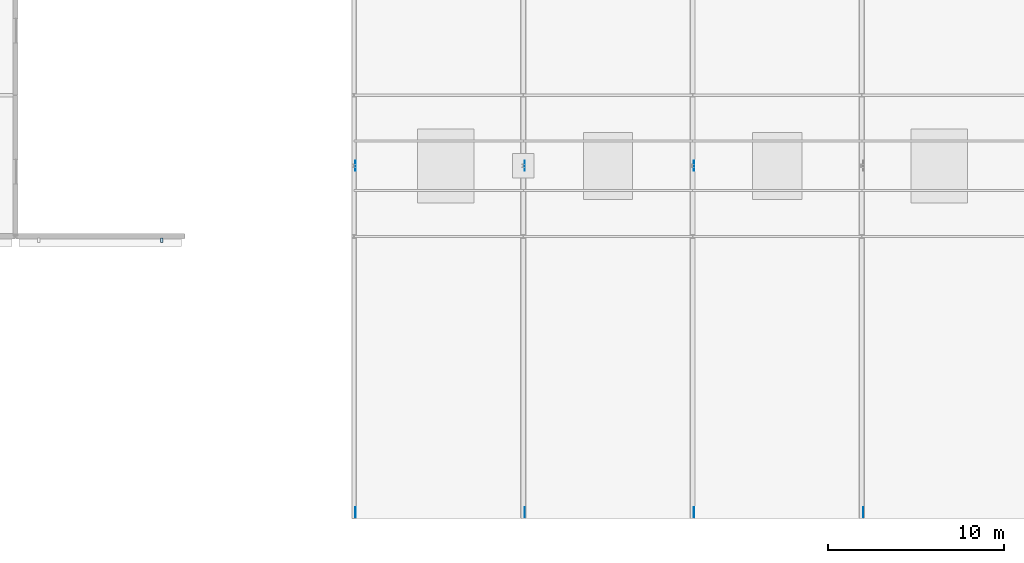
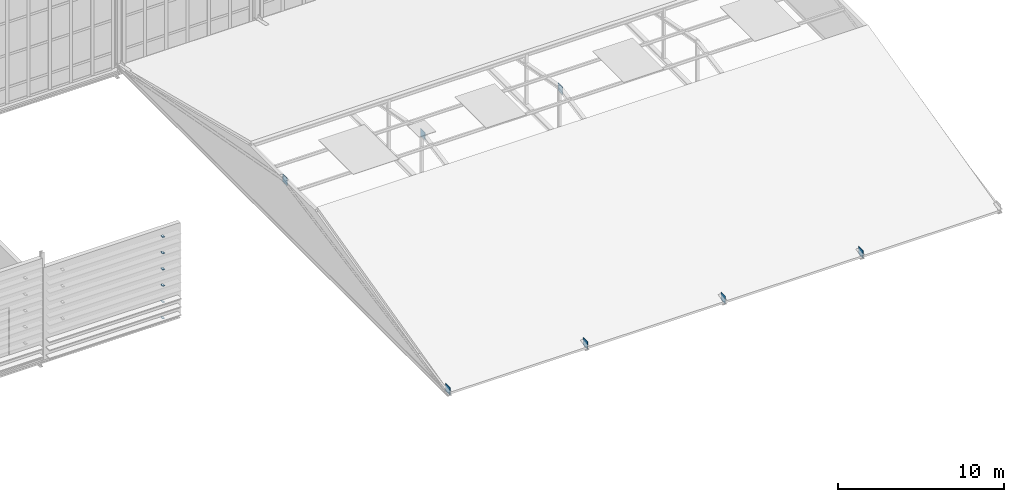
# One storey, part 60 of 73: 13 plates.
"""IFC4 building model written with IfcOpenShell, lengths in metres."""

from ifc_helpers import new_model, si_unit, direction, frame, origin, origin_2d, place, context, subcontext, project, spatial, rectangle, extrude, material, layer, layer_set, type_object, element, save


model = new_model("IFC4")

# Units and contexts
model_context = context("Model", 3, precision=1e-05, world=origin(), true_north=direction((0.0, 1.0)))
body_context = subcontext(model_context, "Body", "Model", "MODEL_VIEW")
ifc_project = project(units=[si_unit("LENGTHUNIT", "METRE"), si_unit("AREAUNIT", "SQUARE_METRE"), si_unit("VOLUMEUNIT", "CUBIC_METRE"), si_unit("PLANEANGLEUNIT", "RADIAN"), si_unit("MASSUNIT", "GRAM", prefix="KILO")], contexts=[model_context])

# Site, building, storey
site_placement = place(None, origin())
site = spatial("IfcSite", under=ifc_project, at=site_placement, CompositionType="ELEMENT")
building_placement = place(site_placement, origin())
building = spatial("IfcBuilding", under=site, at=building_placement, Name="Alderhovde Museum", CompositionType="ELEMENT")
storey_placement = place(building_placement, frame((0.0, 0.0, 17.39990234375)))
storey = spatial("IfcBuildingStorey", under=building, at=storey_placement, Name="L04", CompositionType="ELEMENT", Elevation=17.39990234375)

# Plates
ifc_material_1 = material(Name="Steel S355J2", Category="steel")
ifc_layer_1 = layer(ifc_material_1, 0.02001953125)
ifc_layer_set_1 = layer_set([ifc_layer_1], Name="Steel S355J2")
plate_type_1 = type_object("IfcPlateType", Name="LV-BRACKET", PredefinedType="USERDEFINED", material=ifc_layer_set_1)
for number, where, z_axis, x_axis, name in (
    (1, (65.89599609375, 47.77001953125, 0.010009765625), (0.0, 0.0, 1.0), (1.0, 0.0, 0.0), "L04 Louvre Support Bracket 5-2"),
    (2, (65.89599609375, 47.77001953125, 1.210205078125), (0.0, 0.0, 1.0), (1.0, 0.0, 0.0), "L04 Louvre Support Bracket 7-2"),
    (3, (65.89599609375, 47.77001953125, 2.41015625), (0.0, 0.0, 1.0), (1.0, 0.0, 0.0), "L04 Louvre Support Bracket 9-2"),
    (4, (65.89599609375, 47.77001953125, 3.610107421875), (0.0, 0.0, 1.0), (1.0, 0.0, 0.0), "L04 Louvre Support Bracket 11-2"),
    (5, (65.89599609375, 47.77001953125, 4.81005859375), (0.0, 0.0, 1.0), (1.0, 0.0, 0.0), "L04 Louvre Support Bracket 13-2"),
    (6, (65.89599609375, 47.77001953125, 6.010009765625), (0.0, 0.0, 1.0), (1.0, 0.0, 0.0), "L04 Louvre Support Bracket 15-2"),
):
    element("IfcPlate", number, at=place(storey_placement, frame(where, z_axis=z_axis, x_axis=x_axis)), inside=storey, type_object=plate_type_1, Name=name, ObjectType="BRACKET PLATE", PredefinedType="USERDEFINED", context=body_context, shape_type="SweptSolid", body=[
        extrude(rectangle(XDim=0.139892578125, YDim=0.260009765625, at=origin_2d()), origin(), (0.0, 0.0, 1.0), 0.02001953125),
    ])
ifc_material_2 = material(Name="Steel S355J2", Category="steel")
ifc_layer_2 = layer(ifc_material_2, 0.02197265625)
ifc_layer_set_2 = layer_set([ifc_layer_2], Name="Steel S355J2")
plate_type_2 = type_object("IfcPlateType", Name="PLT-GUSSET-22", PredefinedType="USERDEFINED", material=ifc_layer_set_2)
for number, where, z_axis, x_axis, name in (
    (7, (76.8798828125, 32.35009765625, -0.030029296875), (0.0, 0.0, 1.0), (1.0, 0.0, 0.0), "Atrium Truss Gusset X=76.8-1"),
    (8, (76.8798828125, 52.0, 3.469970703125), (0.0, 0.0, 1.0), (1.0, 0.0, 0.0), "Atrium Truss Gusset X=76.8-2"),
    (9, (86.47998046875, 32.35009765625, -0.030029296875), (0.0, 0.0, 1.0), (1.0, 0.0, 0.0), "Atrium Truss Gusset X=86.4-1"),
    (10, (86.47998046875, 52.0, 3.469970703125), (0.0, 0.0, 1.0), (1.0, 0.0, 0.0), "Atrium Truss Gusset X=86.4-2"),
    (11, (96.080078125, 32.35009765625, -0.030029296875), (0.0, 0.0, 1.0), (1.0, 0.0, 0.0), "Atrium Truss Gusset X=96.0-1"),
    (12, (96.080078125, 52.0, 3.469970703125), (0.0, 0.0, 1.0), (1.0, 0.0, 0.0), "Atrium Truss Gusset X=96.0-2"),
    (13, (105.679931640625, 32.35009765625, -0.030029296875), (0.0, 0.0, 1.0), (1.0, 0.0, 0.0), "Atrium Truss Gusset X=105.6-1"),
):
    element("IfcPlate", number, at=place(storey_placement, frame(where, z_axis=z_axis, x_axis=x_axis)), inside=storey, type_object=plate_type_2, Name=name, ObjectType="GUSSET PLATE", PredefinedType="USERDEFINED", context=body_context, shape_type="SweptSolid", body=[
        extrude(rectangle(XDim=0.02197265625, YDim=0.56005859375, at=origin_2d()), origin(), (0.0, 0.0, 1.0), 0.56005859375),
    ])

save(model, "model.ifc")
